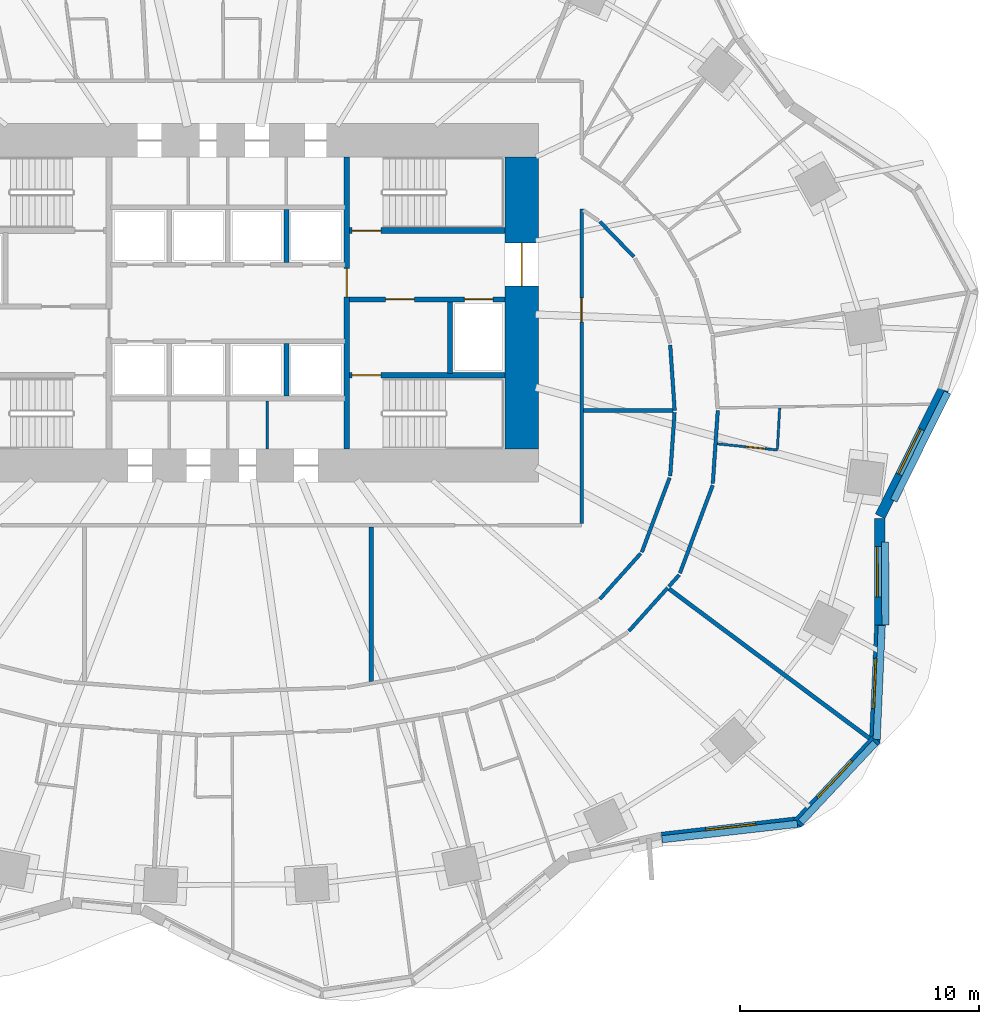
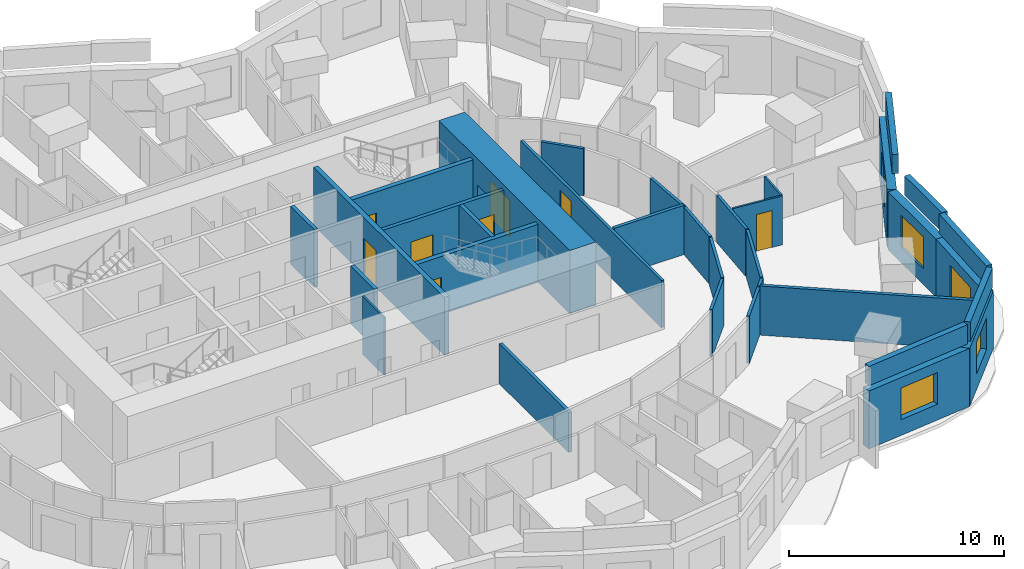
# One storey, part 7 of 12: 34 walls, 8 doors, 5 windows, 13 openings.
"""IFC4 building model written with IfcOpenShell, lengths in metres."""

import ifcopenshell
import ifcopenshell.guid

model = None  # the IFC model being written
_history = None  # IfcOwnerHistory: only IFC2X3 demands one
_inside = {}  # id of a spatial element -> (the spatial element, [elements in it])
_under = {}  # id of a project, library or spatial element -> (it, [spatial elements below it])
_declared = {}  # id of a project -> (the project, [libraries it declares])
_typed = {}  # id of a type object -> (the type object, [elements of that type])
_made_of = {}  # id of a material, layer set ... -> (it, [elements and type objects made of it])


def new_model(schema):
    """Start an empty IFC model of exactly this schema.

    Asked for "IFC4X3", IfcOpenShell would pick the latest addendum, in which some entities
    have other attributes; the version numbers below select the first issue.
    IFC2X3 requires an IfcOwnerHistory on every rooted entity: one is made here for all.
    """
    global model, _history
    if schema == "IFC4X3":
        model = ifcopenshell.file(schema_version=(4, 3, 0, 0))
    else:
        model = ifcopenshell.file(schema=schema)
    _inside.clear()
    _under.clear()
    _declared.clear()
    _typed.clear()
    _made_of.clear()
    _history = None
    if model.schema == "IFC2X3":
        org = make("IfcOrganization", Name="unknown")
        user = make(
            "IfcPersonAndOrganization",
            ThePerson=make("IfcPerson", FamilyName="unknown"),
            TheOrganization=org,
        )
        app = make(
            "IfcApplication",
            ApplicationDeveloper=org,
            Version="unknown",
            ApplicationFullName="unknown",
            ApplicationIdentifier="unknown",
        )
        _history = make(
            "IfcOwnerHistory",
            OwningUser=user,
            OwningApplication=app,
            ChangeAction="ADDED",
            CreationDate=0,
        )
    return model


def make(cls, **values):
    """One entity of the class cls with the attributes given. An attribute that is None is left unset."""
    return model.create_entity(
        cls, **{name: value for name, value in values.items() if value is not None}
    )


def rooted(cls, **values):
    """An entity with a GlobalId (a new one), such as an element, a storey or a relation."""
    return make(cls, GlobalId=ifcopenshell.guid.new(), OwnerHistory=_history, **values)


def si_unit(unit_type, name, prefix=None):
    """IfcSIUnit, for example si_unit("LENGTHUNIT", "METRE", prefix="MILLI")."""
    return make("IfcSIUnit", UnitType=unit_type, Prefix=prefix, Name=name)


def assignment(units):
    """IfcUnitAssignment: the units of a project."""
    return None if units is None else make("IfcUnitAssignment", Units=units)


def point(xyz):
    """IfcCartesianPoint."""
    return None if xyz is None else make("IfcCartesianPoint", Coordinates=xyz)


def direction(xyz):
    """IfcDirection."""
    return None if xyz is None else make("IfcDirection", DirectionRatios=xyz)


def frame(location, z_axis=None, x_axis=None):
    """IfcAxis2Placement3D, a coordinate frame: its origin and axes. An axis left out is left unset."""
    return make(
        "IfcAxis2Placement3D",
        Location=point(location),
        Axis=direction(z_axis),
        RefDirection=direction(x_axis),
    )


def frame_2d(location, x_axis=None):
    """IfcAxis2Placement2D, a coordinate frame in the plane: its origin and x axis."""
    return make(
        "IfcAxis2Placement2D", Location=point(location), RefDirection=direction(x_axis)
    )


def origin():
    """The frame at (0, 0, 0) with its axes left unset."""
    return frame((0.0, 0.0, 0.0))


def place(relative_to, where):
    """IfcLocalPlacement: puts the frame where relative to a parent placement (None: the world)."""
    return make(
        "IfcLocalPlacement", PlacementRelTo=relative_to, RelativePlacement=where
    )


def context(
    kind, dimensions, precision=None, world=None, true_north=None, identifier=None
):
    """IfcGeometricRepresentationContext, for example the 3D "Model" context."""
    return make(
        "IfcGeometricRepresentationContext",
        ContextIdentifier=identifier,
        ContextType=kind,
        CoordinateSpaceDimension=dimensions,
        Precision=precision,
        WorldCoordinateSystem=world,
        TrueNorth=true_north,
    )


def subcontext(parent, identifier, kind, view, scale=None):
    """IfcGeometricRepresentationSubContext, for example "Body" below "Model"."""
    return make(
        "IfcGeometricRepresentationSubContext",
        ContextIdentifier=identifier,
        ContextType=kind,
        ParentContext=parent,
        TargetScale=scale,
        TargetView=view,
    )


def project(units=None, contexts=None):
    """IfcProject with its units and contexts."""
    return rooted(
        "IfcProject",
        Name="project",
        RepresentationContexts=contexts,
        UnitsInContext=assignment(units),
    )


def spatial(cls, under=None, at=None, **own):
    """A site, building, storey or space (cls), placed at a placement, below another one or the project."""
    s = rooted(cls, ObjectPlacement=at, **own)
    if under is not None:
        _under.setdefault(under.id(), (under, []))[1].append(s)
    return s


def profile(cls, at=None, kind="AREA", **sizes):
    """A parametric profile (cls). Its sizes go by their IFC names, for example OverallWidth=200.0."""
    return make(cls, ProfileType=kind, Position=at, **sizes)


def rectangle(**sizes):
    """IfcRectangleProfileDef."""
    return profile("IfcRectangleProfileDef", **sizes)


def extrude(swept, where, along, depth):
    """IfcExtrudedAreaSolid: the profile swept, set in the frame where, extruded along a direction by depth."""
    return make(
        "IfcExtrudedAreaSolid",
        SweptArea=swept,
        Position=where,
        ExtrudedDirection=direction(along),
        Depth=depth,
    )


def shape(context_of_items, identifier, shape_type, items):
    """IfcShapeRepresentation: the items that make up one representation, for example the "Body"."""
    return make(
        "IfcShapeRepresentation",
        ContextOfItems=context_of_items,
        RepresentationIdentifier=identifier,
        RepresentationType=shape_type,
        Items=items,
    )


def material(Name=None, Category=None):
    """IfcMaterial."""
    return make("IfcMaterial", Name=Name, Category=Category)


def layer(
    of_material, thickness, ventilated=None, Name=None, Category=None, Priority=None
):
    """IfcMaterialLayer: one layer of a wall or slab, of a material (None: an air gap)."""
    return make(
        "IfcMaterialLayer",
        Material=of_material,
        LayerThickness=thickness,
        IsVentilated=ventilated,
        Name=Name,
        Category=Category,
        Priority=Priority,
    )


def layer_set(layers, Name=None):
    """IfcMaterialLayerSet."""
    return make("IfcMaterialLayerSet", MaterialLayers=layers, LayerSetName=Name)


def made_of(thing, what):
    """Note that an element or type object is made of a material, layer set ...; save() writes the relation."""
    if what is not None:
        _made_of.setdefault(what.id(), (what, []))[1].append(thing)
    return thing


def type_object(cls, material=None, **own):
    """A type object (cls), such as IfcWallType, which elements share."""
    return made_of(rooted(cls, **own), material)


def element(
    cls,
    number,
    at=None,
    inside=None,
    cuts=None,
    type_object=None,
    material=None,
    context=None,
    identifier="Body",
    shape_type=None,
    held_by="IfcProductDefinitionShape",
    body=None,
    shapes=None,
    **own,
):
    """One element of the class cls, such as IfcWall. Its Tag is "e" and its number.

    at: its placement. inside: the storey or other place that contains it. cuts: it is an
    opening in that element (IfcRelVoidsElement). A single representation is given by context,
    identifier, shape_type and body (its items); several are given by shapes. held_by: the class
    of the entity that holds the representations. save() writes the other relations.
    """
    e = rooted(cls, Tag="e%d" % number, ObjectPlacement=at, **own)
    if body is not None:
        shapes = [shape(context, identifier, shape_type, body)]
    if shapes is not None:
        e.Representation = make(held_by, Representations=shapes)
    if inside is not None:
        _inside.setdefault(inside.id(), (inside, []))[1].append(e)
    if cuts is not None:
        rooted(
            "IfcRelVoidsElement", RelatingBuildingElement=cuts, RelatedOpeningElement=e
        )
    if type_object is not None:
        _typed.setdefault(type_object.id(), (type_object, []))[1].append(e)
    return made_of(e, material)


def fill(opening, filler):
    """IfcRelFillsElement: the door or window that sits in an opening."""
    return rooted(
        "IfcRelFillsElement",
        RelatingOpeningElement=opening,
        RelatedBuildingElement=filler,
    )


def aggregate(whole, parts):
    """IfcRelAggregates: a whole, such as a stair, and the parts it consists of."""
    return rooted("IfcRelAggregates", RelatingObject=whole, RelatedObjects=parts)


def save(model, path):
    """Write the relations noted so far, then the file.

    IfcRelAggregates (storeys below a building ...), IfcRelContainedInSpatialStructure (elements
    in a storey), IfcRelDefinesByType, IfcRelAssociatesMaterial and IfcRelDeclares: one each for
    every whole, place, type object, material and project.
    """
    for whole, parts in _under.values():
        aggregate(whole, parts)
    for where, things in _inside.values():
        rooted(
            "IfcRelContainedInSpatialStructure",
            RelatedElements=things,
            RelatingStructure=where,
        )
    for kind, things in _typed.values():
        rooted("IfcRelDefinesByType", RelatedObjects=things, RelatingType=kind)
    for what, things in _made_of.values():
        rooted("IfcRelAssociatesMaterial", RelatedObjects=things, RelatingMaterial=what)
    for by, libraries in _declared.values():
        rooted("IfcRelDeclares", RelatingContext=by, RelatedDefinitions=libraries)
    model.write(path)


model = new_model("IFC4")

# Units and contexts
model_context = context("Model", 3, precision=1e-05, world=origin(), true_north=direction((0.0, 1.0)))
body_context = subcontext(model_context, "Body", "Model", "MODEL_VIEW")
ifc_project = project(units=[si_unit("LENGTHUNIT", "METRE"), si_unit("AREAUNIT", "SQUARE_METRE"), si_unit("VOLUMEUNIT", "CUBIC_METRE"), si_unit("PLANEANGLEUNIT", "RADIAN"), si_unit("MASSUNIT", "GRAM", prefix="KILO")], contexts=[model_context])

# Site, building, storey
site_placement = place(None, origin())
site = spatial("IfcSite", under=ifc_project, at=site_placement, CompositionType="ELEMENT")
building_placement = place(site_placement, origin())
building = spatial("IfcBuilding", under=site, at=building_placement, Name="Rubra Terraces Tower", CompositionType="ELEMENT")
storey_placement = place(building_placement, frame((0.0, 0.0, 73.5)))
storey = spatial("IfcBuildingStorey", under=building, at=storey_placement, Name="L16", CompositionType="ELEMENT", Elevation=73.5)

# Walls
ifc_material_1 = material(Name="Twin plasterboard on staggered steel stud, acoustic mineral wool", Category="steel")
ifc_layer_1 = layer(ifc_material_1, 0.175048828125)
ifc_layer_set_1 = layer_set([ifc_layer_1], Name="Twin plasterboard on staggered steel stud, acoustic mineral wool")
wall_type_1 = type_object("IfcWallType", Name="ACOUSTIC PARTY WALL 175", PredefinedType="PARTITIONING", material=ifc_layer_set_1)
wall_1_placement = place(storey_placement, frame((26.843994140625, -13.715576171875, 0.0), z_axis=(0.0, 0.0, 1.0), x_axis=(-0.801529984423, 0.597954583619, 0.0)))
element("IfcWall", 1, at=wall_1_placement, inside=storey, type_object=wall_type_1, Name="PARTITION", PredefinedType="PARTITIONING", context=body_context, shape_type="SweptSolid", body=[
    extrude(rectangle(XDim=10.456298828125, YDim=0.175048828125, at=frame_2d((5.22802734375, 0.0))), origin(), (0.0, 0.0, 1.0), 2.798095703125),
])
wall_2_placement = place(storey_placement, frame((14.875, 0.0, 0.0), z_axis=(0.0, 0.0, 1.0), x_axis=(1.0, 0.0, 0.0)))
element("IfcWall", 2, at=wall_2_placement, inside=storey, type_object=wall_type_1, Name="PARTITION", PredefinedType="PARTITIONING", context=body_context, shape_type="SweptSolid", body=[
    extrude(rectangle(XDim=3.744384765625, YDim=0.175048828125, at=frame_2d((1.8720703125, 0.0))), origin(), (0.0, 0.0, 1.0), 2.798095703125),
])
ifc_layer_2 = layer(ifc_material_1, 0.175048828125)
ifc_layer_set_2 = layer_set([ifc_layer_2], Name="Twin plasterboard on staggered steel stud, acoustic mineral wool")
wall_type_2 = type_object("IfcWallType", Name="ACOUSTIC PARTY WALL 175 LOW HEAD", PredefinedType="PARTITIONING", material=ifc_layer_set_2)
wall_3_placement = place(storey_placement, frame((6.0, -11.3359375, 0.0), z_axis=(0.0, 0.0, 1.0), x_axis=(0.0, 1.0, 0.0)))
element("IfcWall", 3, at=wall_3_placement, inside=storey, type_object=wall_type_2, Name="PARTITION", PredefinedType="PARTITIONING", context=body_context, shape_type="SweptSolid", body=[
    extrude(rectangle(XDim=6.4609375, YDim=0.175048828125, at=frame_2d((3.23046875, 0.0))), origin(), (0.0, 0.0, 1.0), 2.280029296875),
])

# Wall, opening, window
ifc_material_2 = material(Name="Brick masonry red-brown", Category="masonry")
ifc_layer_3 = layer(ifc_material_2, 0.449951171875)
ifc_layer_set_3 = layer_set([ifc_layer_3], Name="Brick masonry red-brown")
wall_type_3 = type_object("IfcWallType", Name="Brick facade wall 450", PredefinedType="SOLIDWALL", material=ifc_layer_set_3)
wall_4_placement = place(storey_placement, frame((18.154296875, -17.864990234375, 0.0), z_axis=(0.0, 0.0, 1.0), x_axis=(0.993572909097, 0.113193967633, 0.0)))
wall_4 = element("IfcWall", 4, at=wall_4_placement, inside=storey, type_object=wall_type_3, Name="Facade wall L16 bay 36", PredefinedType="SOLIDWALL", context=body_context, shape_type="SweptSolid", body=[
    extrude(rectangle(XDim=5.838623046875, YDim=0.449951171875, at=frame_2d((2.91943359375, 0.0))), origin(), (0.0, 0.0, 1.0), 3.300048828125),
])
opening_1_placement = place(wall_4_placement, frame((1.869384765625, 0.0, 0.89990234375)))
opening_1 = element("IfcOpeningElement", 5, at=opening_1_placement, cuts=wall_4, Name="Opening W1Z", PredefinedType="OPENING", context=body_context, shape_type="SweptSolid", body=[
    extrude(rectangle(XDim=2.10009765625, YDim=1.800048828125, at=frame_2d((1.050048828125, 0.89990234375))), frame((0.0, 0.23486328125, 0.0), z_axis=(0.0, -1.0, 0.0), x_axis=(1.0, 0.0, 0.0)), (0.0, 0.0, 1.0), 0.469970703125),
])
ifc_material_3 = material(Name="Clear glass in aluminium frame", Category="aluminium")
window_type = type_object("IfcWindowType", Name="Fixed deep-set window under transfer level 2100 x 1800", PartitioningType="SINGLE_PANEL", PredefinedType="WINDOW", material=ifc_material_3)
window_1_placement = place(opening_1_placement, origin())
window_1 = element("IfcWindow", 6, at=window_1_placement, inside=storey, type_object=window_type, Name="Window L16 bay 36", OverallHeight=1.800048828125, OverallWidth=2.10009765625, PartitioningType="SINGLE_PANEL", PredefinedType="WINDOW", context=body_context, shape_type="SweptSolid", body=[
    extrude(rectangle(XDim=2.10009765625, YDim=1.800048828125, at=frame_2d((1.050048828125, 0.89990234375))), frame((0.0, 0.135009765625, 0.0), z_axis=(0.0, -1.0, 0.0), x_axis=(1.0, 0.0, 0.0)), (0.0, 0.0, 1.0), 0.06005859375),
])
fill(opening_1, window_1)

wall_5_placement = place(storey_placement, frame((23.822021484375, -17.273193359375, 0.0), z_axis=(0.0, 0.0, 1.0), x_axis=(0.684173167988, 0.729319598122, 0.0)))
wall_5 = element("IfcWall", 7, at=wall_5_placement, inside=storey, type_object=wall_type_3, Name="Facade wall L16 bay 37", PredefinedType="SOLIDWALL", context=body_context, shape_type="SweptSolid", body=[
    extrude(rectangle(XDim=4.8291015625, YDim=0.449951171875, at=frame_2d((2.41455078125, 0.0))), origin(), (0.0, 0.0, 1.0), 3.300048828125),
])
opening_2_placement = place(wall_5_placement, frame((1.364501953125, 0.0, 0.89990234375)))
opening_2 = element("IfcOpeningElement", 8, at=opening_2_placement, cuts=wall_5, Name="Opening W1Z", PredefinedType="OPENING", context=body_context, shape_type="SweptSolid", body=[
    extrude(rectangle(XDim=2.10009765625, YDim=1.800048828125, at=frame_2d((1.050048828125, 0.89990234375))), frame((0.0, 0.23486328125, 0.0), z_axis=(0.0, -1.0, 0.0), x_axis=(1.0, 0.0, 0.0)), (0.0, 0.0, 1.0), 0.469970703125),
])
window_2_placement = place(opening_2_placement, origin())
window_2 = element("IfcWindow", 9, at=window_2_placement, inside=storey, type_object=window_type, Name="Window L16 bay 37", OverallHeight=1.800048828125, OverallWidth=2.10009765625, PartitioningType="SINGLE_PANEL", PredefinedType="WINDOW", context=body_context, shape_type="SweptSolid", body=[
    extrude(rectangle(XDim=2.10009765625, YDim=1.800048828125, at=frame_2d((1.050048828125, 0.89990234375))), frame((0.0, 0.135009765625, 0.0), z_axis=(0.0, -1.0, 0.0), x_axis=(1.0, 0.0, 0.0)), (0.0, 0.0, 1.0), 0.06005859375),
])
fill(opening_2, window_2)

wall_6_placement = place(storey_placement, frame((27.0654296875, -13.889892578125, 0.0), z_axis=(0.0, 0.0, 1.0), x_axis=(0.044544250924, 0.99900741224, 0.0)))
wall_6 = element("IfcWall", 10, at=wall_6_placement, inside=storey, type_object=wall_type_3, Name="Facade wall L16 bay 38", PredefinedType="SOLIDWALL", context=body_context, shape_type="SweptSolid", body=[
    extrude(rectangle(XDim=4.938232421875, YDim=0.449951171875, at=frame_2d((2.46923828125, 0.0))), origin(), (0.0, 0.0, 1.0), 3.300048828125),
])
opening_3_placement = place(wall_6_placement, frame((1.419189453125, 0.0, 0.89990234375)))
opening_3 = element("IfcOpeningElement", 11, at=opening_3_placement, cuts=wall_6, Name="Opening W1Z", PredefinedType="OPENING", context=body_context, shape_type="SweptSolid", body=[
    extrude(rectangle(XDim=2.10009765625, YDim=1.800048828125, at=frame_2d((1.050048828125, 0.89990234375))), frame((0.0, 0.23486328125, 0.0), z_axis=(0.0, -1.0, 0.0), x_axis=(1.0, 0.0, 0.0)), (0.0, 0.0, 1.0), 0.469970703125),
])
window_3_placement = place(opening_3_placement, origin())
window_3 = element("IfcWindow", 12, at=window_3_placement, inside=storey, type_object=window_type, Name="Window L16 bay 38", OverallHeight=1.800048828125, OverallWidth=2.10009765625, PartitioningType="SINGLE_PANEL", PredefinedType="WINDOW", context=body_context, shape_type="SweptSolid", body=[
    extrude(rectangle(XDim=2.10009765625, YDim=1.800048828125, at=frame_2d((1.050048828125, 0.89990234375))), frame((0.0, 0.135009765625, 0.0), z_axis=(0.0, -1.0, 0.0), x_axis=(1.0, 0.0, 0.0)), (0.0, 0.0, 1.0), 0.06005859375),
])
fill(opening_3, window_3)

wall_7_placement = place(storey_placement, frame((27.284912109375, -8.966796875, 0.0), z_axis=(0.0, 0.0, 1.0), x_axis=(-0.003185571797, 0.999994926053, 0.0)))
wall_7 = element("IfcWall", 13, at=wall_7_placement, inside=storey, type_object=wall_type_3, Name="Facade wall L16 bay 39", PredefinedType="SOLIDWALL", context=body_context, shape_type="SweptSolid", body=[
    extrude(rectangle(XDim=4.445068359375, YDim=0.449951171875, at=frame_2d((2.22265625, 0.0))), origin(), (0.0, 0.0, 1.0), 3.300048828125),
])
opening_4_placement = place(wall_7_placement, frame((1.172607421875, 0.0, 0.89990234375)))
opening_4 = element("IfcOpeningElement", 14, at=opening_4_placement, cuts=wall_7, Name="Opening W1Z", PredefinedType="OPENING", context=body_context, shape_type="SweptSolid", body=[
    extrude(rectangle(XDim=2.10009765625, YDim=1.800048828125, at=frame_2d((1.050048828125, 0.89990234375))), frame((0.0, 0.23486328125, 0.0), z_axis=(0.0, -1.0, 0.0), x_axis=(1.0, 0.0, 0.0)), (0.0, 0.0, 1.0), 0.469970703125),
])
window_4_placement = place(opening_4_placement, origin())
window_4 = element("IfcWindow", 15, at=window_4_placement, inside=storey, type_object=window_type, Name="Window L16 bay 39", OverallHeight=1.800048828125, OverallWidth=2.10009765625, PartitioningType="SINGLE_PANEL", PredefinedType="WINDOW", context=body_context, shape_type="SweptSolid", body=[
    extrude(rectangle(XDim=2.10009765625, YDim=1.800048828125, at=frame_2d((1.050048828125, 0.89990234375))), frame((0.0, 0.135009765625, 0.0), z_axis=(0.0, -1.0, 0.0), x_axis=(1.0, 0.0, 0.0)), (0.0, 0.0, 1.0), 0.06005859375),
])
fill(opening_4, window_4)

wall_8_placement = place(storey_placement, frame((27.294189453125, -4.426513671875, 0.0), z_axis=(0.0, 0.0, 1.0), x_axis=(0.444913249375, 0.895573671191, 0.0)))
wall_8 = element("IfcWall", 16, at=wall_8_placement, inside=storey, type_object=wall_type_3, Name="Facade wall L16 bay 40", PredefinedType="SOLIDWALL", context=body_context, shape_type="SweptSolid", body=[
    extrude(rectangle(XDim=5.947265625, YDim=0.449951171875, at=frame_2d((2.9736328125, 0.0))), origin(), (0.0, 0.0, 1.0), 3.300048828125),
])
opening_5_placement = place(wall_8_placement, frame((1.923583984375, 0.0, 0.89990234375)))
opening_5 = element("IfcOpeningElement", 17, at=opening_5_placement, cuts=wall_8, Name="Opening W1Z", PredefinedType="OPENING", context=body_context, shape_type="SweptSolid", body=[
    extrude(rectangle(XDim=2.10009765625, YDim=1.800048828125, at=frame_2d((1.050048828125, 0.89990234375))), frame((0.0, 0.23486328125, 0.0), z_axis=(0.0, -1.0, 0.0), x_axis=(1.0, 0.0, 0.0)), (0.0, 0.0, 1.0), 0.469970703125),
])
window_5_placement = place(opening_5_placement, origin())
window_5 = element("IfcWindow", 18, at=window_5_placement, inside=storey, type_object=window_type, Name="Window L16 bay 40", OverallHeight=1.800048828125, OverallWidth=2.10009765625, PartitioningType="SINGLE_PANEL", PredefinedType="WINDOW", context=body_context, shape_type="SweptSolid", body=[
    extrude(rectangle(XDim=2.10009765625, YDim=1.800048828125, at=frame_2d((1.050048828125, 0.89990234375))), frame((0.0, 0.135009765625, 0.0), z_axis=(0.0, -1.0, 0.0), x_axis=(1.0, 0.0, 0.0)), (0.0, 0.0, 1.0), 0.06005859375),
])
fill(opening_5, window_5)

# Walls
ifc_layer_4 = layer(ifc_material_2, 0.300048828125)
ifc_layer_set_4 = layer_set([ifc_layer_4], Name="Brick masonry red-brown")
wall_type_4 = type_object("IfcWallType", Name="Brick parapet 300", PredefinedType="PARAPET", material=ifc_layer_set_4)
wall_9_placement = place(storey_placement, frame((18.16455078125, -17.939208984375, 3.60009765625), z_axis=(0.0, 0.0, 1.0), x_axis=(0.99357552433, 0.113171009774, 0.0)))
element("IfcWall", 19, at=wall_9_placement, inside=storey, type_object=wall_type_4, Name="Parapet L16 bay 36", PredefinedType="PARAPET", context=body_context, shape_type="SweptSolid", body=[
    extrude(rectangle(XDim=5.70166015625, YDim=0.300048828125, at=frame_2d((2.850830078125, 0.0))), origin(), (0.0, 0.0, 1.0), 1.099853515625),
])
wall_10_placement = place(storey_placement, frame((23.972412109375, -17.22216796875, 3.60009765625), z_axis=(0.0, 0.0, 1.0), x_axis=(0.684173231326, 0.729319538705, 0.0)))
element("IfcWall", 20, at=wall_10_placement, inside=storey, type_object=wall_type_4, Name="Parapet L16 bay 37", PredefinedType="PARAPET", context=body_context, shape_type="SweptSolid", body=[
    extrude(rectangle(XDim=4.5478515625, YDim=0.300048828125, at=frame_2d((2.27392578125, 0.0))), origin(), (0.0, 0.0, 1.0), 1.099853515625),
])
wall_11_placement = place(storey_placement, frame((27.146484375, -13.75732421875, 3.60009765625), z_axis=(0.0, 0.0, 1.0), x_axis=(0.044503972994, 0.999009207359, 0.0)))
element("IfcWall", 21, at=wall_11_placement, inside=storey, type_object=wall_type_4, Name="Parapet L16 bay 38", PredefinedType="PARAPET", context=body_context, shape_type="SweptSolid", body=[
    extrude(rectangle(XDim=4.76708984375, YDim=0.300048828125, at=frame_2d((2.383544921875, 0.0))), origin(), (0.0, 0.0, 1.0), 1.099853515625),
])
wall_12_placement = place(storey_placement, frame((27.510009765625, -8.9716796875, 3.60009765625), z_axis=(0.0, 0.0, 1.0), x_axis=(-0.003236912182, 0.999994761186, 0.0)))
element("IfcWall", 22, at=wall_12_placement, inside=storey, type_object=wall_type_4, Name="Parapet L16 bay 39", PredefinedType="PARAPET", context=body_context, shape_type="SweptSolid", body=[
    extrude(rectangle(XDim=3.469482421875, YDim=0.300048828125, at=frame_2d((1.73486328125, 0.0))), origin(), (0.0, 0.0, 1.0), 1.099853515625),
])
wall_13_placement = place(storey_placement, frame((27.859130859375, -3.77099609375, 3.60009765625), z_axis=(0.0, 0.0, 1.0), x_axis=(0.444912677503, 0.895573955292, 0.0)))
element("IfcWall", 23, at=wall_13_placement, inside=storey, type_object=wall_type_4, Name="Parapet L16 bay 40", PredefinedType="PARAPET", context=body_context, shape_type="SweptSolid", body=[
    extrude(rectangle(XDim=5.053955078125, YDim=0.300048828125, at=frame_2d((2.52685546875, 0.0))), origin(), (0.0, 0.0, 1.0), 1.099853515625),
])

# Wall, opening, door
ifc_material_4 = material(Name="Concrete C70", Category="concrete")
ifc_layer_5 = layer(ifc_material_4, 1.39990234375)
ifc_layer_set_5 = layer_set([ifc_layer_5], Name="Concrete C70")
wall_type_5 = type_object("IfcWallType", Name="CORE WALL 1400 C70", PredefinedType="SHEAR", material=ifc_layer_set_5)
wall_14_placement = place(storey_placement, frame((12.300048828125, -1.60009765625, 0.0), z_axis=(0.0, 0.0, 1.0), x_axis=(0.0, 1.0, 0.0)))
wall_14 = element("IfcWall", 24, at=wall_14_placement, inside=storey, type_object=wall_type_5, Name="CORE WALL E L16", PredefinedType="SHEAR", context=body_context, shape_type="SweptSolid", body=[
    extrude(rectangle(XDim=12.2001953125, YDim=1.39990234375, at=frame_2d((6.10009765625, 0.0))), origin(), (0.0, 0.0, 1.0), 3.60009765625),
])
opening_6_placement = place(wall_14_placement, frame((6.800048828125, 0.0, 0.0)))
opening_6 = element("IfcOpeningElement", 25, at=opening_6_placement, cuts=wall_14, Name="Opening L16.C02", PredefinedType="OPENING", context=body_context, shape_type="SweptSolid", body=[
    extrude(rectangle(XDim=1.800048828125, YDim=2.10009765625, at=frame_2d((0.89990234375, 1.050048828125))), frame((0.0, 0.7099609375, 0.0), z_axis=(0.0, -1.0, 0.0), x_axis=(1.0, 0.0, 0.0)), (0.0, 0.0, 1.0), 1.419921875),
])
ifc_material_5 = material(Name="Painted steel", Category="steel")
door_type_1 = type_object("IfcDoorType", Name="Fire door 1800x2100 double", OperationType="NOTDEFINED", PredefinedType="DOOR", material=ifc_material_5)
door_1_placement = place(opening_6_placement, origin())
door_1 = element("IfcDoor", 26, at=door_1_placement, inside=storey, type_object=door_type_1, Name="Core entrance door FF2", OperationType="DOUBLE_DOOR_SINGLE_SWING", OverallHeight=2.10009765625, OverallWidth=1.800048828125, PredefinedType="DOOR", context=body_context, shape_type="SweptSolid", body=[
    extrude(rectangle(XDim=1.800048828125, YDim=2.10009765625, at=frame_2d((0.89990234375, 1.050048828125))), frame((0.0, 0.02490234375, 0.0), z_axis=(0.0, -1.0, 0.0), x_axis=(1.0, 0.0, 0.0)), (0.0, 0.0, 1.0), 0.050048828125),
])
fill(opening_6, door_1)

# Walls
ifc_material_6 = material(Name="Plasterboard on steel stud, mineral wool infill", Category="steel")
ifc_layer_6 = layer(ifc_material_6, 0.14990234375)
ifc_layer_set_6 = layer_set([ifc_layer_6], Name="Plasterboard on steel stud, mineral wool infill")
wall_type_6 = type_object("IfcWallType", Name="CORRIDOR PARTITION 150", PredefinedType="PARTITIONING", material=ifc_layer_set_6)
wall_15_placement = place(storey_placement, frame((16.781494140625, -9.227783203125, 0.0), z_axis=(0.0, 0.0, 1.0), x_axis=(0.667308710912, 0.744781232538, 0.0)))
element("IfcWall", 27, at=wall_15_placement, inside=storey, type_object=wall_type_6, Name="PARTITION", PredefinedType="PARTITIONING", context=body_context, shape_type="SweptSolid", body=[
    extrude(rectangle(XDim=2.4296875, YDim=0.14990234375, at=frame_2d((1.21484375, 0.0))), origin(), (0.0, 0.0, 1.0), 2.68408203125),
])
wall_16_placement = place(storey_placement, frame((18.452880859375, -7.3623046875, 0.0), z_axis=(0.0, 0.0, 1.0), x_axis=(0.667330462125, 0.744761743325, 0.0)))
element("IfcWall", 28, at=wall_16_placement, inside=storey, type_object=wall_type_6, Name="PARTITION", PredefinedType="PARTITIONING", context=body_context, shape_type="SweptSolid", body=[
    extrude(rectangle(XDim=0.652587890625, YDim=0.14990234375, at=frame_2d((0.326171875, 0.0))), origin(), (0.0, 0.0, 1.0), 2.68408203125),
])
wall_17_placement = place(storey_placement, frame((18.914794921875, -6.805908203125, 0.0), z_axis=(0.0, 0.0, 1.0), x_axis=(0.349452792603, 0.936953972051, 0.0)))
element("IfcWall", 29, at=wall_17_placement, inside=storey, type_object=wall_type_6, Name="PARTITION", PredefinedType="PARTITIONING", context=body_context, shape_type="SweptSolid", body=[
    extrude(rectangle(XDim=3.925048828125, YDim=0.14990234375, at=frame_2d((1.96240234375, 0.0))), origin(), (0.0, 0.0, 1.0), 2.68408203125),
])
wall_18_placement = place(storey_placement, frame((20.29150390625, -3.053466796875, 0.0), z_axis=(0.0, 0.0, 1.0), x_axis=(0.067646719267, 0.997709337118, 0.0)))
element("IfcWall", 30, at=wall_18_placement, inside=storey, type_object=wall_type_6, Name="PARTITION", PredefinedType="PARTITIONING", context=body_context, shape_type="SweptSolid", body=[
    extrude(rectangle(XDim=3.060546875, YDim=0.14990234375, at=frame_2d((1.5302734375, 0.0))), origin(), (0.0, 0.0, 1.0), 2.68408203125),
])
wall_19_placement = place(storey_placement, frame((15.564453125, 7.9013671875, 0.0), z_axis=(0.0, 0.0, 1.0), x_axis=(0.695611358841, -0.718418288639, 0.0)))
element("IfcWall", 31, at=wall_19_placement, inside=storey, type_object=wall_type_6, Name="PARTITION", PredefinedType="PARTITIONING", context=body_context, shape_type="SweptSolid", body=[
    extrude(rectangle(XDim=2.05517578125, YDim=0.14990234375, at=frame_2d((1.027587890625, 0.0))), origin(), (0.0, 0.0, 1.0), 2.68408203125),
])
wall_20_placement = place(storey_placement, frame((18.50830078125, 2.7421875, 0.0), z_axis=(0.0, 0.0, 1.0), x_axis=(0.067774714774, -0.997700650515, 0.0)))
element("IfcWall", 32, at=wall_20_placement, inside=storey, type_object=wall_type_6, Name="PARTITION", PredefinedType="PARTITIONING", context=body_context, shape_type="SweptSolid", body=[
    extrude(rectangle(XDim=2.74853515625, YDim=0.14990234375, at=frame_2d((1.374267578125, 0.0))), origin(), (0.0, 0.0, 1.0), 2.68408203125),
])
wall_21_placement = place(storey_placement, frame((18.689453125, -0.07470703125, 0.0), z_axis=(0.0, 0.0, 1.0), x_axis=(-0.067687508044, -0.997706570718, 0.0)))
element("IfcWall", 33, at=wall_21_placement, inside=storey, type_object=wall_type_6, Name="PARTITION", PredefinedType="PARTITIONING", context=body_context, shape_type="SweptSolid", body=[
    extrude(rectangle(XDim=2.67626953125, YDim=0.14990234375, at=frame_2d((1.338134765625, 0.0))), origin(), (0.0, 0.0, 1.0), 2.68408203125),
])
wall_22_placement = place(storey_placement, frame((18.48193359375, -2.815185546875, 0.0), z_axis=(0.0, 0.0, 1.0), x_axis=(-0.349448047934, -0.936955741642, 0.0)))
element("IfcWall", 34, at=wall_22_placement, inside=storey, type_object=wall_type_6, Name="PARTITION", PredefinedType="PARTITIONING", context=body_context, shape_type="SweptSolid", body=[
    extrude(rectangle(XDim=3.32275390625, YDim=0.14990234375, at=frame_2d((1.661376953125, 0.0))), origin(), (0.0, 0.0, 1.0), 2.68408203125),
])
wall_23_placement = place(storey_placement, frame((17.270751953125, -5.984375, 0.0), z_axis=(0.0, 0.0, 1.0), x_axis=(-0.667301130907, -0.744788023997, 0.0)))
element("IfcWall", 35, at=wall_23_placement, inside=storey, type_object=wall_type_6, Name="PARTITION", PredefinedType="PARTITIONING", context=body_context, shape_type="SweptSolid", body=[
    extrude(rectangle(XDim=2.564697265625, YDim=0.14990234375, at=frame_2d((1.2822265625, 0.0))), origin(), (0.0, 0.0, 1.0), 2.68408203125),
])

# Wall, opening, door
wall_24_placement = place(storey_placement, frame((14.800048828125, -4.72509765625, 0.0), z_axis=(0.0, 0.0, 1.0), x_axis=(0.0, 1.0, 0.0)))
wall_24 = element("IfcWall", 36, at=wall_24_placement, inside=storey, type_object=wall_type_6, Name="PARTITION", PredefinedType="PARTITIONING", context=body_context, shape_type="SweptSolid", body=[
    extrude(rectangle(XDim=13.150390625, YDim=0.14990234375, at=frame_2d((6.5751953125, 0.0))), origin(), (0.0, 0.0, 1.0), 2.68408203125),
])
opening_7_placement = place(wall_24_placement, frame((8.43798828125, 0.0, 0.0)))
opening_7 = element("IfcOpeningElement", 37, at=opening_7_placement, cuts=wall_24, Name="Opening 16-144", PredefinedType="OPENING", context=body_context, shape_type="SweptSolid", body=[
    extrude(rectangle(XDim=1.0, YDim=2.10009765625, at=frame_2d((0.5, 1.050048828125))), frame((0.0, 0.0849609375, 0.0), z_axis=(0.0, -1.0, 0.0), x_axis=(1.0, 0.0, 0.0)), (0.0, 0.0, 1.0), 0.169921875),
])
ifc_material_7 = material(Name="Painted timber door leaf", Category="wood")
door_type_2 = type_object("IfcDoorType", Name="ROOM DOOR 1000 X 2100", OperationType="SINGLE_SWING_LEFT", PredefinedType="DOOR", material=ifc_material_7)
door_2_placement = place(opening_7_placement, origin())
door_2 = element("IfcDoor", 38, at=door_2_placement, inside=storey, type_object=door_type_2, Name="DOOR 16-144", OperationType="SINGLE_SWING_RIGHT", OverallHeight=2.10009765625, OverallWidth=1.0, PredefinedType="DOOR", context=body_context, shape_type="SweptSolid", body=[
    extrude(rectangle(XDim=1.0, YDim=2.10009765625, at=frame_2d((0.5, 1.050048828125))), frame((0.0, 0.02490234375, 0.0), z_axis=(0.0, -1.0, 0.0), x_axis=(1.0, 0.0, 0.0)), (0.0, 0.0, 1.0), 0.050048828125),
])
fill(opening_7, door_2)

# Wall, openings, doors
ifc_material_8 = material(Name="Concrete C30", Category="concrete")
ifc_layer_7 = layer(ifc_material_8, 0.199951171875)
ifc_layer_set_7 = layer_set([ifc_layer_7], Name="Concrete C30")
wall_type_7 = type_object("IfcWallType", Name="Core wall 200 concrete", PredefinedType="SOLIDWALL", material=ifc_layer_set_7)
wall_25_placement = place(storey_placement, frame((11.60009765625, 4.64990234375, 0.0), z_axis=(0.0, 0.0, 1.0), x_axis=(-1.0, 0.0, 0.0)))
wall_25 = element("IfcWall", 39, at=wall_25_placement, inside=storey, type_object=wall_type_7, Name="STAIR WALL L16", PredefinedType="SOLIDWALL", context=body_context, shape_type="SweptSolid", body=[
    extrude(rectangle(XDim=6.5, YDim=0.199951171875, at=frame_2d((3.25, 0.0))), origin(), (0.0, 0.0, 1.0), 3.300048828125),
])
opening_8_placement = place(wall_25_placement, frame((3.800048828125, 0.0, 0.0)))
opening_8 = element("IfcOpeningElement", 40, at=opening_8_placement, cuts=wall_25, Name="Opening L16.C06", PredefinedType="OPENING", context=body_context, shape_type="SweptSolid", body=[
    extrude(rectangle(XDim=1.199951171875, YDim=2.10009765625, at=frame_2d((0.60009765625, 1.050048828125))), frame((0.0, 0.10986328125, 0.0), z_axis=(0.0, -1.0, 0.0), x_axis=(1.0, 0.0, 0.0)), (0.0, 0.0, 1.0), 0.219970703125),
])
opening_9_placement = place(wall_25_placement, frame((0.5, 0.0, 0.0)))
opening_9 = element("IfcOpeningElement", 41, at=opening_9_placement, cuts=wall_25, Name="Opening L16.C12", PredefinedType="OPENING", context=body_context, shape_type="SweptSolid", body=[
    extrude(rectangle(XDim=1.199951171875, YDim=2.10009765625, at=frame_2d((0.60009765625, 1.050048828125))), frame((0.0, 0.10986328125, 0.0), z_axis=(0.0, -1.0, 0.0), x_axis=(1.0, 0.0, 0.0)), (0.0, 0.0, 1.0), 0.219970703125),
])
door_type_3 = type_object("IfcDoorType", Name="Fire door 1200x2100 single", OperationType="NOTDEFINED", PredefinedType="DOOR", material=ifc_material_5)
door_3_placement = place(opening_8_placement, origin())
door_3 = element("IfcDoor", 42, at=door_3_placement, inside=storey, type_object=door_type_3, Name="Stair vestibule door S4", OperationType="SINGLE_SWING_RIGHT", OverallHeight=2.10009765625, OverallWidth=1.199951171875, PredefinedType="DOOR", context=body_context, shape_type="SweptSolid", body=[
    extrude(rectangle(XDim=1.199951171875, YDim=2.10009765625, at=frame_2d((0.60009765625, 1.050048828125))), frame((0.0, 0.02490234375, 0.0), z_axis=(0.0, -1.0, 0.0), x_axis=(1.0, 0.0, 0.0)), (0.0, 0.0, 1.0), 0.050048828125),
])
fill(opening_8, door_3)
ifc_material_9 = material(Name="Stainless steel", Category="steel")
door_type_4 = type_object("IfcDoorType", Name="Lift landing door 1200x2100", OperationType="NOTDEFINED", PredefinedType="DOOR", material=ifc_material_9)
door_4_placement = place(opening_9_placement, origin())
door_4 = element("IfcDoor", 43, at=door_4_placement, inside=storey, type_object=door_type_4, Name="Landing door FF2", OperationType="SLIDING_TO_RIGHT", OverallHeight=2.10009765625, OverallWidth=1.199951171875, PredefinedType="DOOR", context=body_context, shape_type="SweptSolid", body=[
    extrude(rectangle(XDim=1.199951171875, YDim=2.10009765625, at=frame_2d((0.60009765625, 1.050048828125))), frame((0.0, 0.02490234375, 0.0), z_axis=(0.0, -1.0, 0.0), x_axis=(1.0, 0.0, 0.0)), (0.0, 0.0, 1.0), 0.050048828125),
])
fill(opening_9, door_4)

# Walls
wall_26_placement = place(storey_placement, frame((9.300048828125, 4.550048828125, 0.0), z_axis=(0.0, 0.0, 1.0), x_axis=(0.0, -1.0, 0.0)))
element("IfcWall", 44, at=wall_26_placement, inside=storey, type_object=wall_type_7, Name="STAIR WALL L16", PredefinedType="SOLIDWALL", context=body_context, shape_type="SweptSolid", body=[
    extrude(rectangle(XDim=3.0, YDim=0.199951171875, at=frame_2d((1.5, 0.0))), origin(), (0.0, 0.0, 1.0), 3.300048828125),
])
for number, where, z_axis, x_axis, name in (
    (45, (2.449951171875, 0.60009765625, 0.0), (0.0, 0.0, 1.0), (0.0, 1.0, 0.0), "LIFT SHAFT WALL L16"),
    (46, (2.449951171875, 6.199951171875, 0.0), (0.0, 0.0, 1.0), (0.0, 1.0, 0.0), "LIFT SHAFT WALL L16"),
):
    element("IfcWall", number, at=place(storey_placement, frame(where, z_axis=z_axis, x_axis=x_axis)), inside=storey, type_object=wall_type_7, Name=name, PredefinedType="SOLIDWALL", context=body_context, shape_type="SweptSolid", body=[
        extrude(rectangle(XDim=2.199951171875, YDim=0.199951171875, at=frame_2d((1.10009765625, 0.0))), origin(), (0.0, 0.0, 1.0), 3.300048828125),
    ])

# Wall, opening, door
ifc_material_10 = material(Name="Plasterboard on steel stud", Category="steel")
ifc_layer_8 = layer(ifc_material_10, 0.10009765625)
ifc_layer_set_8 = layer_set([ifc_layer_8], Name="Plasterboard on steel stud")
wall_type_8 = type_object("IfcWallType", Name="ROOM PARTITION 100", PredefinedType="PARTITIONING", material=ifc_layer_set_8)
wall_27_placement = place(storey_placement, frame((20.47900390625, -1.39501953125, 0.0), z_axis=(0.0, 0.0, 1.0), x_axis=(0.994803809099, -0.101810517152, 0.0)))
wall_27 = element("IfcWall", 47, at=wall_27_placement, inside=storey, type_object=wall_type_8, Name="PARTITION", PredefinedType="PARTITIONING", context=body_context, shape_type="SweptSolid", body=[
    extrude(rectangle(XDim=2.525146484375, YDim=0.10009765625, at=frame_2d((1.2626953125, 0.0))), origin(), (0.0, 0.0, 1.0), 2.783935546875),
])
opening_10_placement = place(wall_27_placement, frame((1.199951171875, 0.0, 0.0)))
opening_10 = element("IfcOpeningElement", 48, at=opening_10_placement, cuts=wall_27, Name="Opening 16-128", PredefinedType="OPENING", context=body_context, shape_type="SweptSolid", body=[
    extrude(rectangle(XDim=0.800048828125, YDim=2.10009765625, at=frame_2d((0.39990234375, 1.050048828125))), frame((0.0, 0.06005859375, 0.0), z_axis=(0.0, -1.0, 0.0), x_axis=(1.0, 0.0, 0.0)), (0.0, 0.0, 1.0), 0.1201171875),
])
door_type_5 = type_object("IfcDoorType", Name="BATHROOM DOOR 800 X 2100", OperationType="SINGLE_SWING_LEFT", PredefinedType="DOOR", material=ifc_material_7)
door_5_placement = place(opening_10_placement, origin())
door_5 = element("IfcDoor", 49, at=door_5_placement, inside=storey, type_object=door_type_5, Name="DOOR 16-128", OperationType="SINGLE_SWING_LEFT", OverallHeight=2.10009765625, OverallWidth=0.800048828125, PredefinedType="DOOR", context=body_context, shape_type="SweptSolid", body=[
    extrude(rectangle(XDim=0.800048828125, YDim=2.10009765625, at=frame_2d((0.39990234375, 1.050048828125))), frame((0.0, 0.02490234375, 0.0), z_axis=(0.0, -1.0, 0.0), x_axis=(1.0, 0.0, 0.0)), (0.0, 0.0, 1.0), 0.050048828125),
])
fill(opening_10, door_5)

# Walls
wall_28_placement = place(storey_placement, frame((22.99365234375, -1.602294921875, 0.0), z_axis=(0.0, 0.0, 1.0), x_axis=(0.055145604925, 0.998478323379, 0.0)))
element("IfcWall", 50, at=wall_28_placement, inside=storey, type_object=wall_type_8, Name="PARTITION", PredefinedType="PARTITIONING", context=body_context, shape_type="SweptSolid", body=[
    extrude(rectangle(XDim=1.708984375, YDim=0.10009765625, at=frame_2d((0.8544921875, 0.0))), origin(), (0.0, 0.0, 1.0), 2.783935546875),
])
ifc_material_11 = material(Name="Blockwork", Category="masonry")
ifc_layer_9 = layer(ifc_material_11, 0.10009765625)
ifc_layer_set_9 = layer_set([ifc_layer_9], Name="Blockwork")
wall_type_9 = type_object("IfcWallType", Name="Service partition 100 blockwork", PredefinedType="PARTITIONING", material=ifc_layer_set_9)
wall_29_placement = place(storey_placement, frame((1.64990234375, -1.60009765625, 0.0), z_axis=(0.0, 0.0, 1.0), x_axis=(0.0, 1.0, 0.0)))
element("IfcWall", 51, at=wall_29_placement, inside=storey, type_object=wall_type_9, Name="SERVICE ROOM PARTITION L16", PredefinedType="PARTITIONING", context=body_context, shape_type="SweptSolid", body=[
    extrude(rectangle(XDim=2.0, YDim=0.10009765625, at=frame_2d((1.0, 0.0))), origin(), (0.0, 0.0, 1.0), 3.300048828125),
])

# Wall, opening, door
ifc_material_12 = material(Name="Concrete C40", Category="concrete")
ifc_layer_10 = layer(ifc_material_12, 0.25)
ifc_layer_set_10 = layer_set([ifc_layer_10], Name="Concrete C40")
wall_type_10 = type_object("IfcWallType", Name="Stair enclosure wall 250 concrete", PredefinedType="SOLIDWALL", material=ifc_layer_set_10)
wall_30_placement = place(storey_placement, frame((11.60009765625, 7.52490234375, 0.0), z_axis=(0.0, 0.0, 1.0), x_axis=(-1.0, 0.0, 0.0)))
wall_30 = element("IfcWall", 52, at=wall_30_placement, inside=storey, type_object=wall_type_10, Name="STAIR WALL L16", PredefinedType="SOLIDWALL", context=body_context, shape_type="SweptSolid", body=[
    extrude(rectangle(XDim=6.5, YDim=0.25, at=frame_2d((3.25, 0.0))), origin(), (0.0, 0.0, 1.0), 3.300048828125),
])
opening_11_placement = place(wall_30_placement, frame((5.199951171875, 0.0, 0.0)))
opening_11 = element("IfcOpeningElement", 53, at=opening_11_placement, cuts=wall_30, Name="Opening L16.C08", PredefinedType="OPENING", context=body_context, shape_type="SweptSolid", body=[
    extrude(rectangle(XDim=1.199951171875, YDim=2.10009765625, at=frame_2d((0.60009765625, 1.050048828125))), frame((0.0, 0.135009765625, 0.0), z_axis=(0.0, -1.0, 0.0), x_axis=(1.0, 0.0, 0.0)), (0.0, 0.0, 1.0), 0.27001953125),
])
door_6_placement = place(opening_11_placement, origin())
door_6 = element("IfcDoor", 54, at=door_6_placement, inside=storey, type_object=door_type_3, Name="Stair door S3", OperationType="SINGLE_SWING_RIGHT", OverallHeight=2.10009765625, OverallWidth=1.199951171875, PredefinedType="DOOR", context=body_context, shape_type="SweptSolid", body=[
    extrude(rectangle(XDim=1.199951171875, YDim=2.10009765625, at=frame_2d((0.60009765625, 1.050048828125))), frame((0.0, 0.02490234375, 0.0), z_axis=(0.0, -1.0, 0.0), x_axis=(1.0, 0.0, 0.0)), (0.0, 0.0, 1.0), 0.050048828125),
])
fill(opening_11, door_6)

wall_31_placement = place(storey_placement, frame((11.60009765625, 1.47509765625, 0.0), z_axis=(0.0, 0.0, 1.0), x_axis=(-1.0, 0.0, 0.0)))
wall_31 = element("IfcWall", 55, at=wall_31_placement, inside=storey, type_object=wall_type_10, Name="STAIR WALL L16", PredefinedType="SOLIDWALL", context=body_context, shape_type="SweptSolid", body=[
    extrude(rectangle(XDim=6.5, YDim=0.25, at=frame_2d((3.25, 0.0))), origin(), (0.0, 0.0, 1.0), 3.300048828125),
])
opening_12_placement = place(wall_31_placement, frame((5.199951171875, 0.0, 0.0)))
opening_12 = element("IfcOpeningElement", 56, at=opening_12_placement, cuts=wall_31, Name="Opening L16.C10", PredefinedType="OPENING", context=body_context, shape_type="SweptSolid", body=[
    extrude(rectangle(XDim=1.199951171875, YDim=2.10009765625, at=frame_2d((0.60009765625, 1.050048828125))), frame((0.0, 0.135009765625, 0.0), z_axis=(0.0, -1.0, 0.0), x_axis=(1.0, 0.0, 0.0)), (0.0, 0.0, 1.0), 0.27001953125),
])
door_7_placement = place(opening_12_placement, origin())
door_7 = element("IfcDoor", 57, at=door_7_placement, inside=storey, type_object=door_type_3, Name="Stair door S4", OperationType="SINGLE_SWING_RIGHT", OverallHeight=2.10009765625, OverallWidth=1.199951171875, PredefinedType="DOOR", context=body_context, shape_type="SweptSolid", body=[
    extrude(rectangle(XDim=1.199951171875, YDim=2.10009765625, at=frame_2d((0.60009765625, 1.050048828125))), frame((0.0, 0.02490234375, 0.0), z_axis=(0.0, -1.0, 0.0), x_axis=(1.0, 0.0, 0.0)), (0.0, 0.0, 1.0), 0.050048828125),
])
fill(opening_12, door_7)

wall_32_placement = place(storey_placement, frame((4.97509765625, 10.60009765625, 0.0), z_axis=(0.0, 0.0, 1.0), x_axis=(0.0, -1.0, 0.0)))
wall_32 = element("IfcWall", 58, at=wall_32_placement, inside=storey, type_object=wall_type_10, Name="CORE LOBBY WALL L16", PredefinedType="SOLIDWALL", context=body_context, shape_type="SweptSolid", body=[
    extrude(rectangle(XDim=12.2001953125, YDim=0.25, at=frame_2d((6.10009765625, 0.0))), origin(), (0.0, 0.0, 1.0), 3.300048828125),
])
opening_13_placement = place(wall_32_placement, frame((4.64990234375, 0.0, 0.0)))
opening_13 = element("IfcOpeningElement", 59, at=opening_13_placement, cuts=wall_32, Name="Opening L16.C04", PredefinedType="OPENING", context=body_context, shape_type="SweptSolid", body=[
    extrude(rectangle(XDim=1.199951171875, YDim=2.10009765625, at=frame_2d((0.60009765625, 1.050048828125))), frame((0.0, 0.135009765625, 0.0), z_axis=(0.0, -1.0, 0.0), x_axis=(1.0, 0.0, 0.0)), (0.0, 0.0, 1.0), 0.27001953125),
])
door_8_placement = place(opening_13_placement, origin())
door_8 = element("IfcDoor", 60, at=door_8_placement, inside=storey, type_object=door_type_3, Name="Firefighting lobby door FF2", OperationType="SINGLE_SWING_RIGHT", OverallHeight=2.10009765625, OverallWidth=1.199951171875, PredefinedType="DOOR", context=body_context, shape_type="SweptSolid", body=[
    extrude(rectangle(XDim=1.199951171875, YDim=2.10009765625, at=frame_2d((0.60009765625, 1.050048828125))), frame((0.0, 0.02490234375, 0.0), z_axis=(0.0, -1.0, 0.0), x_axis=(1.0, 0.0, 0.0)), (0.0, 0.0, 1.0), 0.050048828125),
])
fill(opening_13, door_8)

save(model, "model.ifc")
